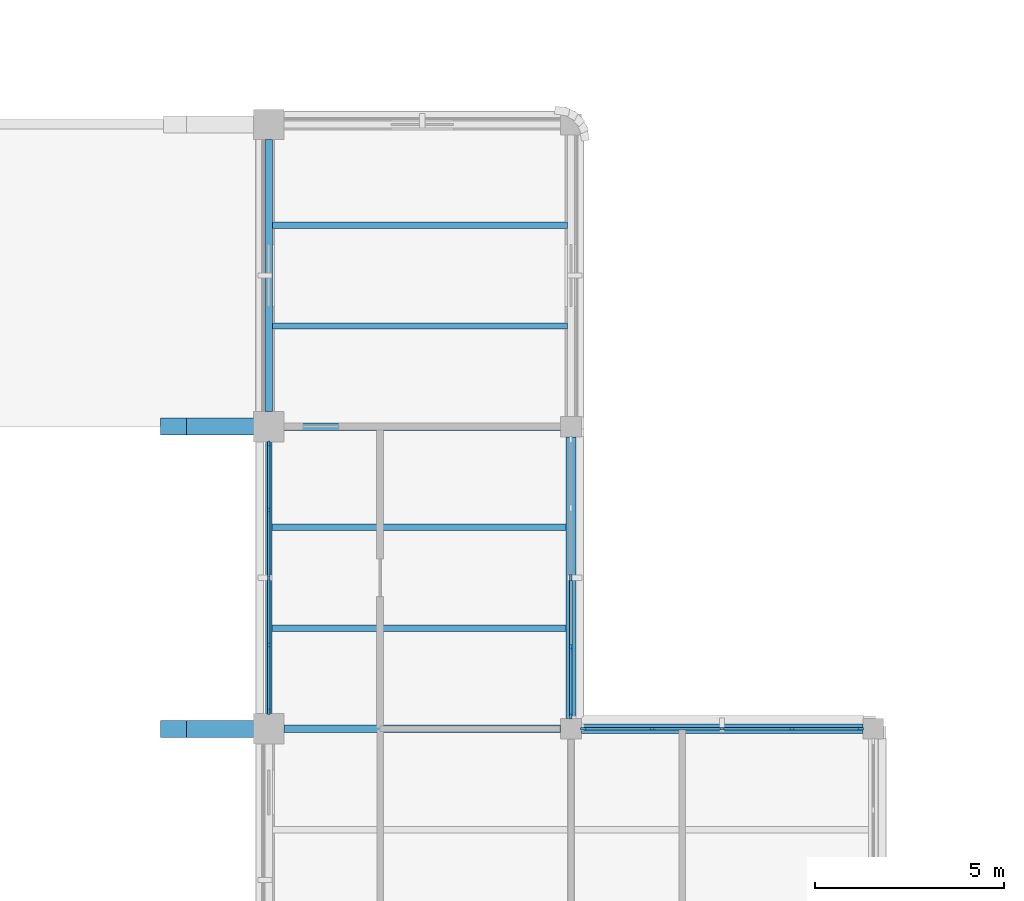
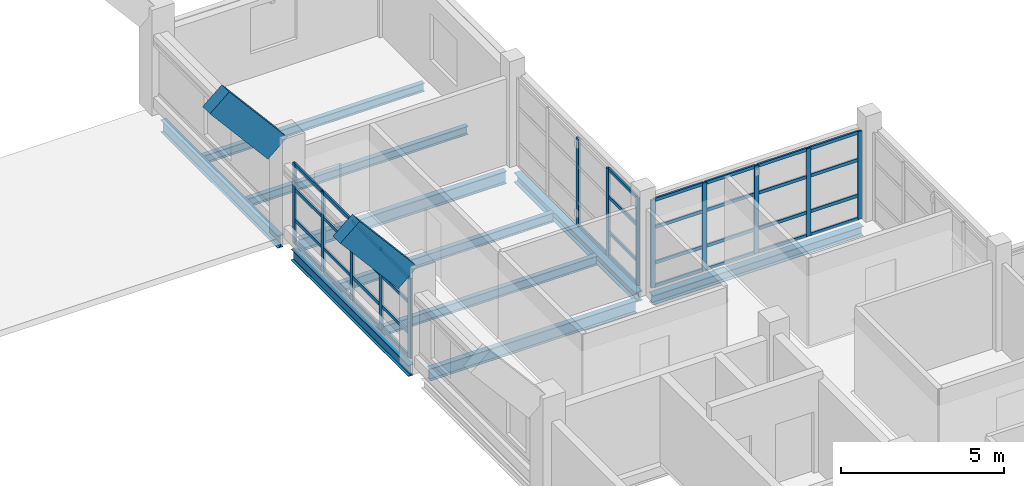
# One storey, part 32 of 92: 50 members, 12 beams, 3 elements without a shape of their own.
"""IFC4 building model written with IfcOpenShell, lengths in metres."""

from ifc_helpers import new_model, si_unit, derived_unit, direction, frame, origin, origin_2d, place, context, subcontext, project, spatial, rectangle, i_section, extrude, material, layer, layer_set, material_profile, profile_set, type_object, element, aggregate, save


model = new_model("IFC4")

# Units and contexts
model_context = context("Model", 3, precision=1e-05, world=origin(), true_north=direction((0.0, 1.0)))
body_context = subcontext(model_context, "Body", "Model", "MODEL_VIEW")
ifc_project = project(units=[si_unit("LENGTHUNIT", "METRE"), si_unit("AREAUNIT", "SQUARE_METRE"), si_unit("VOLUMEUNIT", "CUBIC_METRE"), si_unit("PLANEANGLEUNIT", "RADIAN"), si_unit("MASSUNIT", "GRAM", prefix="KILO"), derived_unit("THERMALTRANSMITTANCEUNIT", [(si_unit("MASSUNIT", "GRAM", prefix="KILO"), 1), (si_unit("TIMEUNIT", "SECOND"), -3), (si_unit("THERMODYNAMICTEMPERATUREUNIT", "KELVIN"), -1)])], contexts=[model_context])

# Site, building, storey
site_placement = place(None, origin())
site = spatial("IfcSite", under=ifc_project, at=site_placement, CompositionType="ELEMENT")
building_placement = place(site_placement, origin())
building = spatial("IfcBuilding", under=site, at=building_placement, Name="Veyamyaing Civic Hall", CompositionType="ELEMENT")
storey_placement = place(building_placement, frame((0.0, 0.0, 17.820068359375)))
storey = spatial("IfcBuildingStorey", under=building, at=storey_placement, Name="L04", CompositionType="ELEMENT", Elevation=17.820068359375)

# Beams
ifc_material_1 = material(Name="Steel ASTM A992", Category="steel")
ifc_material_profile_1 = material_profile(ifc_material_1, i_section(OverallWidth=0.18994140625, OverallDepth=0.45703125, WebThickness=0.009033203125, FlangeThickness=0.014404296875, FilletRadius=0.010009765625, at=origin_2d()), Name="W460X74")
ifc_profile_set_1 = profile_set([ifc_material_profile_1], Name="Steel ASTM A992")
beam_type_1 = type_object("IfcBeamType", Name="B-09", PredefinedType="BEAM", material=ifc_profile_set_1)
beam_1_placement = place(storey_placement, frame((104.39990234375, 64.0, -0.463623046875), z_axis=(1.0, 0.0, 0.0), x_axis=(0.0, 1.0, 0.0)))
element("IfcBeam", 1, at=beam_1_placement, inside=storey, type_object=beam_type_1, Name="Girder B-09 L04 Grid J 14-15", PredefinedType="BEAM", context=body_context, shape_type="SweptSolid", body=[
    extrude(i_section(OverallWidth=0.18994140625, OverallDepth=0.45703125, WebThickness=0.009033203125, FlangeThickness=0.014404296875, FilletRadius=0.010009765625, at=origin_2d()), origin(), (0.0, 0.0, 1.0), 7.3251953125),
])
beam_2_placement = place(storey_placement, frame((104.0, 72.39990234375, -0.468505859375), z_axis=(0.0, 1.0, 0.0), x_axis=(-1.0, 0.0, 0.0)))
element("IfcBeam", 2, at=beam_2_placement, inside=storey, type_object=beam_type_1, Name="Girder B-09 L04 Grid 14 K-L", PredefinedType="BEAM", context=body_context, shape_type="SweptSolid", body=[
    extrude(i_section(OverallWidth=0.18994140625, OverallDepth=0.45703125, WebThickness=0.009033203125, FlangeThickness=0.014404296875, FilletRadius=0.010009765625, at=origin_2d()), origin(), (0.0, 0.0, 1.0), 7.2001953125),
])
ifc_material_profile_2 = material_profile(ifc_material_1, i_section(OverallWidth=0.194091796875, OverallDepth=0.468994140625, WebThickness=0.0126953125, FlangeThickness=0.0205078125, FilletRadius=0.010009765625, at=origin_2d()), Name="W460X106")
ifc_profile_set_2 = profile_set([ifc_material_profile_2], Name="Steel ASTM A992")
beam_type_2 = type_object("IfcBeamType", Name="B-18", PredefinedType="BEAM", material=ifc_profile_set_2)
beam_3_placement = place(storey_placement, frame((104.39990234375, 72.0, -0.469482421875), z_axis=(1.0, 0.0, 0.0), x_axis=(0.0, 1.0, 0.0)))
element("IfcBeam", 3, at=beam_3_placement, inside=storey, type_object=beam_type_2, Name="Girder B-18 L04 Grid K 14-15", PredefinedType="BEAM", context=body_context, shape_type="SweptSolid", body=[
    extrude(i_section(OverallWidth=0.194091796875, OverallDepth=0.468994140625, WebThickness=0.0126953125, FlangeThickness=0.0205078125, FilletRadius=0.010009765625, at=origin_2d()), origin(), (0.0, 0.0, 1.0), 7.3251953125),
])
ifc_material_profile_3 = material_profile(ifc_material_1, i_section(OverallWidth=0.180908203125, OverallDepth=0.4169921875, WebThickness=0.010986328125, FlangeThickness=0.018310546875, FilletRadius=0.010009765625, at=origin_2d()), Name="W410X85")
ifc_profile_set_3 = profile_set([ifc_material_profile_3], Name="Steel ASTM A992")
beam_type_3 = type_object("IfcBeamType", Name="B-19", PredefinedType="SPANDREL", material=ifc_profile_set_3)
beam_4_placement = place(storey_placement, frame((104.0, 64.39990234375, -0.443603515625), z_axis=(0.0, 1.0, 0.0), x_axis=(-1.0, 0.0, 0.0)))
element("IfcBeam", 4, at=beam_4_placement, inside=storey, type_object=beam_type_3, Name="Girder B-19 L04 Grid 14 J-K", PredefinedType="SPANDREL", context=body_context, shape_type="SweptSolid", body=[
    extrude(i_section(OverallWidth=0.180908203125, OverallDepth=0.4169921875, WebThickness=0.010986328125, FlangeThickness=0.018310546875, FilletRadius=0.010009765625, at=origin_2d()), origin(), (0.0, 0.0, 1.0), 7.2001953125),
])
ifc_material_profile_4 = material_profile(ifc_material_1, i_section(OverallWidth=0.25390625, OverallDepth=0.35302734375, WebThickness=0.009521484375, FlangeThickness=0.016357421875, FilletRadius=0.011962890625, at=origin_2d()), Name="W360X91")
ifc_profile_set_4 = profile_set([ifc_material_profile_4], Name="Steel ASTM A992")
beam_type_4 = type_object("IfcBeamType", Name="B-20", PredefinedType="SPANDREL", material=ifc_profile_set_4)
for number, where, z_axis, x_axis, name in (
    (5, (112.27490234375, 64.0, -0.41162109375), (1.0, 0.0, 0.0), (0.0, 1.0, 0.0), "Girder B-20 L04 Grid J 15-16"),
    (6, (112.0, 64.27490234375, -0.41162109375), (0.0, 1.0, 0.0), (-1.0, 0.0, 0.0), "Girder B-20 L04 Grid 15 J-K"),
):
    element("IfcBeam", number, at=place(storey_placement, frame(where, z_axis=z_axis, x_axis=x_axis)), inside=storey, type_object=beam_type_4, Name=name, PredefinedType="SPANDREL", context=body_context, shape_type="SweptSolid", body=[
        extrude(i_section(OverallWidth=0.25390625, OverallDepth=0.35302734375, WebThickness=0.009521484375, FlangeThickness=0.016357421875, FilletRadius=0.011962890625, at=origin_2d()), origin(), (0.0, 0.0, 1.0), 7.4501953125),
    ])

# Curtain wall, members
ifc_material_2 = material(Name="Anodised aluminium 6063-T6", Category="aluminium")
ifc_layer = layer(ifc_material_2, 0.159912109375, Name="Anodised aluminium 6063-T6")
ifc_layer_set = layer_set([ifc_layer], Name="Anodised aluminium 6063-T6")
curtain_wall_type = type_object("IfcCurtainWallType", Name="CW-08", PredefinedType="NOTDEFINED", material=ifc_layer_set)
curtain_wall_1_placement = place(storey_placement, origin())
curtain_wall_1 = element("IfcCurtainWall", 7, at=curtain_wall_1_placement, inside=storey, type_object=curtain_wall_type, Name="Unitized curtain wall CW-08 L04 W 14.9", PredefinedType="NOTDEFINED")
ifc_material_profile_5 = material_profile(ifc_material_2, rectangle(XDim=0.06494140625, YDim=0.159912109375, at=origin_2d()), Name="ALU-MUL-65X160")
ifc_profile_set_5 = profile_set([ifc_material_profile_5], Name="Anodised aluminium 6063-T6")
member_type_1 = type_object("IfcMemberType", Name="CWM-01", PredefinedType="MULLION", material=ifc_profile_set_5)
member_1_placement = place(storey_placement, frame((104.0, 64.46240234375, 0.0), z_axis=(0.0, 0.0, 1.0), x_axis=(-1.0, 0.0, 0.0)))
member_1 = element("IfcMember", 8, at=member_1_placement, type_object=member_type_1, Name="CW-08 mullion 1", PredefinedType="MULLION", context=body_context, shape_type="SweptSolid", body=[
    extrude(rectangle(XDim=0.06494140625, YDim=0.159912109375, at=origin_2d()), origin(), (0.0, 0.0, 1.0), 3.001953125),
])
member_2_placement = place(storey_placement, frame((104.0, 66.215087890625, 0.0), z_axis=(0.0, 0.0, 1.0), x_axis=(-1.0, 0.0, 0.0)))
member_2 = element("IfcMember", 9, at=member_2_placement, type_object=member_type_1, Name="CW-08 mullion 2", PredefinedType="MULLION", context=body_context, shape_type="SweptSolid", body=[
    extrude(rectangle(XDim=0.06494140625, YDim=0.159912109375, at=origin_2d()), origin(), (0.0, 0.0, 1.0), 3.001953125),
])
member_3_placement = place(storey_placement, frame((104.0, 68.0, 0.0), z_axis=(0.0, 0.0, 1.0), x_axis=(-1.0, 0.0, 0.0)))
member_3 = element("IfcMember", 10, at=member_3_placement, type_object=member_type_1, Name="CW-08 mullion 3", PredefinedType="MULLION", context=body_context, shape_type="SweptSolid", body=[
    extrude(rectangle(XDim=0.06494140625, YDim=0.159912109375, at=origin_2d()), origin(), (0.0, 0.0, 1.0), 3.001953125),
])
member_4_placement = place(storey_placement, frame((104.0, 69.784912109375, 0.0), z_axis=(0.0, 0.0, 1.0), x_axis=(-1.0, 0.0, 0.0)))
member_4 = element("IfcMember", 11, at=member_4_placement, type_object=member_type_1, Name="CW-08 mullion 4", PredefinedType="MULLION", context=body_context, shape_type="SweptSolid", body=[
    extrude(rectangle(XDim=0.06494140625, YDim=0.159912109375, at=origin_2d()), origin(), (0.0, 0.0, 1.0), 3.001953125),
])
member_5_placement = place(storey_placement, frame((104.0, 71.53759765625, 0.0), z_axis=(0.0, 0.0, 1.0), x_axis=(-1.0, 0.0, 0.0)))
member_5 = element("IfcMember", 12, at=member_5_placement, type_object=member_type_1, Name="CW-08 mullion 5", PredefinedType="MULLION", context=body_context, shape_type="SweptSolid", body=[
    extrude(rectangle(XDim=0.06494140625, YDim=0.159912109375, at=origin_2d()), origin(), (0.0, 0.0, 1.0), 3.001953125),
])

curtain_wall_2_placement = place(storey_placement, origin())
curtain_wall_2 = element("IfcCurtainWall", 13, at=curtain_wall_2_placement, inside=storey, type_object=curtain_wall_type, Name="Unitized curtain wall CW-08 L04 E 14.9", PredefinedType="NOTDEFINED")
member_6_placement = place(storey_placement, frame((112.0, 64.33740234375, 0.0), z_axis=(0.0, 0.0, 1.0), x_axis=(-1.0, 0.0, 0.0)))
member_6 = element("IfcMember", 14, at=member_6_placement, type_object=member_type_1, Name="CW-08 mullion 1", PredefinedType="MULLION", context=body_context, shape_type="SweptSolid", body=[
    extrude(rectangle(XDim=0.06494140625, YDim=0.159912109375, at=origin_2d()), origin(), (0.0, 0.0, 1.0), 3.288818359375),
])
member_7_placement = place(storey_placement, frame((112.0, 66.152587890625, 0.0), z_axis=(0.0, 0.0, 1.0), x_axis=(-1.0, 0.0, 0.0)))
member_7 = element("IfcMember", 15, at=member_7_placement, type_object=member_type_1, Name="CW-08 mullion 2", PredefinedType="MULLION", context=body_context, shape_type="SweptSolid", body=[
    extrude(rectangle(XDim=0.06494140625, YDim=0.159912109375, at=origin_2d()), origin(), (0.0, 0.0, 1.0), 3.288818359375),
])
member_8_placement = place(storey_placement, frame((112.0, 68.0, 0.0), z_axis=(0.0, 0.0, 1.0), x_axis=(-1.0, 0.0, 0.0)))
member_8 = element("IfcMember", 16, at=member_8_placement, type_object=member_type_1, Name="CW-08 mullion 3", PredefinedType="MULLION", context=body_context, shape_type="SweptSolid", body=[
    extrude(rectangle(XDim=0.06494140625, YDim=0.159912109375, at=origin_2d()), origin(), (0.0, 0.0, 1.0), 3.288818359375),
])

curtain_wall_3_placement = place(storey_placement, origin())
curtain_wall_3 = element("IfcCurtainWall", 17, at=curtain_wall_3_placement, inside=storey, type_object=curtain_wall_type, Name="Unitized curtain wall CW-08 L04 N 15.8", PredefinedType="NOTDEFINED")
member_9_placement = place(storey_placement, frame((112.33740234375, 64.0, 0.0), z_axis=(0.0, 0.0, 1.0), x_axis=(0.0, 1.0, 0.0)))
member_9 = element("IfcMember", 18, at=member_9_placement, type_object=member_type_1, Name="CW-08 mullion 1", PredefinedType="MULLION", context=body_context, shape_type="SweptSolid", body=[
    extrude(rectangle(XDim=0.06494140625, YDim=0.159912109375, at=origin_2d()), origin(), (0.0, 0.0, 1.0), 3.288818359375),
])
member_10_placement = place(storey_placement, frame((114.152587890625, 64.0, 0.0), z_axis=(0.0, 0.0, 1.0), x_axis=(0.0, 1.0, 0.0)))
member_10 = element("IfcMember", 19, at=member_10_placement, type_object=member_type_1, Name="CW-08 mullion 2", PredefinedType="MULLION", context=body_context, shape_type="SweptSolid", body=[
    extrude(rectangle(XDim=0.06494140625, YDim=0.159912109375, at=origin_2d()), origin(), (0.0, 0.0, 1.0), 3.288818359375),
])
member_11_placement = place(storey_placement, frame((116.0, 64.0, 0.0), z_axis=(0.0, 0.0, 1.0), x_axis=(0.0, 1.0, 0.0)))
member_11 = element("IfcMember", 20, at=member_11_placement, type_object=member_type_1, Name="CW-08 mullion 3", PredefinedType="MULLION", context=body_context, shape_type="SweptSolid", body=[
    extrude(rectangle(XDim=0.06494140625, YDim=0.159912109375, at=origin_2d()), origin(), (0.0, 0.0, 1.0), 3.288818359375),
])
member_12_placement = place(storey_placement, frame((117.847412109375, 64.0, 0.0), z_axis=(0.0, 0.0, 1.0), x_axis=(0.0, 1.0, 0.0)))
member_12 = element("IfcMember", 21, at=member_12_placement, type_object=member_type_1, Name="CW-08 mullion 4", PredefinedType="MULLION", context=body_context, shape_type="SweptSolid", body=[
    extrude(rectangle(XDim=0.06494140625, YDim=0.159912109375, at=origin_2d()), origin(), (0.0, 0.0, 1.0), 3.288818359375),
])
member_13_placement = place(storey_placement, frame((119.66259765625, 64.0, 0.0), z_axis=(0.0, 0.0, 1.0), x_axis=(0.0, 1.0, 0.0)))
member_13 = element("IfcMember", 22, at=member_13_placement, type_object=member_type_1, Name="CW-08 mullion 5", PredefinedType="MULLION", context=body_context, shape_type="SweptSolid", body=[
    extrude(rectangle(XDim=0.06494140625, YDim=0.159912109375, at=origin_2d()), origin(), (0.0, 0.0, 1.0), 3.288818359375),
])

# Member
ifc_material_profile_6 = material_profile(ifc_material_2, rectangle(XDim=0.06494140625, YDim=0.1201171875, at=origin_2d()), Name="ALU-TRN-65X120")
ifc_profile_set_6 = profile_set([ifc_material_profile_6], Name="Anodised aluminium 6063-T6")
member_type_2 = type_object("IfcMemberType", Name="CWT-01", PredefinedType="USERDEFINED", material=ifc_profile_set_6)
member_14_placement = place(storey_placement, frame((104.0, 64.4951171875, 0.032470703125), z_axis=(0.0, 1.0, 0.0), x_axis=(-1.0, 0.0, 0.0)))
member_14 = element("IfcMember", 23, at=member_14_placement, type_object=member_type_2, Name="CW-08 transom 1.1", ObjectType="TRANSOM", PredefinedType="USERDEFINED", context=body_context, shape_type="SweptSolid", body=[
    extrude(rectangle(XDim=0.06494140625, YDim=0.1201171875, at=origin_2d()), origin(), (0.0, 0.0, 1.0), 1.6875),
])

member_15_placement = place(storey_placement, frame((104.0, 64.4951171875, 0.89990234375), z_axis=(0.0, 1.0, 0.0), x_axis=(-1.0, 0.0, 0.0)))
member_15 = element("IfcMember", 24, at=member_15_placement, type_object=member_type_2, Name="CW-08 transom 1.2", ObjectType="TRANSOM", PredefinedType="USERDEFINED", context=body_context, shape_type="SweptSolid", body=[
    extrude(rectangle(XDim=0.06494140625, YDim=0.1201171875, at=origin_2d()), origin(), (0.0, 0.0, 1.0), 1.6875),
])

member_16_placement = place(storey_placement, frame((104.0, 64.4951171875, 2.041259765625), z_axis=(0.0, 1.0, 0.0), x_axis=(-1.0, 0.0, 0.0)))
member_16 = element("IfcMember", 25, at=member_16_placement, type_object=member_type_2, Name="CW-08 transom 1.3", ObjectType="TRANSOM", PredefinedType="USERDEFINED", context=body_context, shape_type="SweptSolid", body=[
    extrude(rectangle(XDim=0.06494140625, YDim=0.1201171875, at=origin_2d()), origin(), (0.0, 0.0, 1.0), 1.6875),
])

member_17_placement = place(storey_placement, frame((104.0, 64.4951171875, 2.969482421875), z_axis=(0.0, 1.0, 0.0), x_axis=(-1.0, 0.0, 0.0)))
member_17 = element("IfcMember", 26, at=member_17_placement, type_object=member_type_2, Name="CW-08 transom 1.4", ObjectType="TRANSOM", PredefinedType="USERDEFINED", context=body_context, shape_type="SweptSolid", body=[
    extrude(rectangle(XDim=0.06494140625, YDim=0.1201171875, at=origin_2d()), origin(), (0.0, 0.0, 1.0), 1.6875),
])

member_18_placement = place(storey_placement, frame((104.0, 66.24755859375, 0.032470703125), z_axis=(0.0, 1.0, 0.0), x_axis=(-1.0, 0.0, 0.0)))
member_18 = element("IfcMember", 27, at=member_18_placement, type_object=member_type_2, Name="CW-08 transom 2.1", ObjectType="TRANSOM", PredefinedType="USERDEFINED", context=body_context, shape_type="SweptSolid", body=[
    extrude(rectangle(XDim=0.06494140625, YDim=0.1201171875, at=origin_2d()), origin(), (0.0, 0.0, 1.0), 1.719970703125),
])

member_19_placement = place(storey_placement, frame((104.0, 66.24755859375, 0.89990234375), z_axis=(0.0, 1.0, 0.0), x_axis=(-1.0, 0.0, 0.0)))
member_19 = element("IfcMember", 28, at=member_19_placement, type_object=member_type_2, Name="CW-08 transom 2.2", ObjectType="TRANSOM", PredefinedType="USERDEFINED", context=body_context, shape_type="SweptSolid", body=[
    extrude(rectangle(XDim=0.06494140625, YDim=0.1201171875, at=origin_2d()), origin(), (0.0, 0.0, 1.0), 1.719970703125),
])

member_20_placement = place(storey_placement, frame((104.0, 66.24755859375, 2.041259765625), z_axis=(0.0, 1.0, 0.0), x_axis=(-1.0, 0.0, 0.0)))
member_20 = element("IfcMember", 29, at=member_20_placement, type_object=member_type_2, Name="CW-08 transom 2.3", ObjectType="TRANSOM", PredefinedType="USERDEFINED", context=body_context, shape_type="SweptSolid", body=[
    extrude(rectangle(XDim=0.06494140625, YDim=0.1201171875, at=origin_2d()), origin(), (0.0, 0.0, 1.0), 1.719970703125),
])

member_21_placement = place(storey_placement, frame((104.0, 66.24755859375, 2.969482421875), z_axis=(0.0, 1.0, 0.0), x_axis=(-1.0, 0.0, 0.0)))
member_21 = element("IfcMember", 30, at=member_21_placement, type_object=member_type_2, Name="CW-08 transom 2.4", ObjectType="TRANSOM", PredefinedType="USERDEFINED", context=body_context, shape_type="SweptSolid", body=[
    extrude(rectangle(XDim=0.06494140625, YDim=0.1201171875, at=origin_2d()), origin(), (0.0, 0.0, 1.0), 1.719970703125),
])

member_22_placement = place(storey_placement, frame((104.0, 68.032470703125, 0.032470703125), z_axis=(0.0, 1.0, 0.0), x_axis=(-1.0, 0.0, 0.0)))
member_22 = element("IfcMember", 31, at=member_22_placement, type_object=member_type_2, Name="CW-08 transom 3.1", ObjectType="TRANSOM", PredefinedType="USERDEFINED", context=body_context, shape_type="SweptSolid", body=[
    extrude(rectangle(XDim=0.06494140625, YDim=0.1201171875, at=origin_2d()), origin(), (0.0, 0.0, 1.0), 1.719970703125),
])

member_23_placement = place(storey_placement, frame((104.0, 68.032470703125, 0.89990234375), z_axis=(0.0, 1.0, 0.0), x_axis=(-1.0, 0.0, 0.0)))
member_23 = element("IfcMember", 32, at=member_23_placement, type_object=member_type_2, Name="CW-08 transom 3.2", ObjectType="TRANSOM", PredefinedType="USERDEFINED", context=body_context, shape_type="SweptSolid", body=[
    extrude(rectangle(XDim=0.06494140625, YDim=0.1201171875, at=origin_2d()), origin(), (0.0, 0.0, 1.0), 1.719970703125),
])

member_24_placement = place(storey_placement, frame((104.0, 68.032470703125, 2.041259765625), z_axis=(0.0, 1.0, 0.0), x_axis=(-1.0, 0.0, 0.0)))
member_24 = element("IfcMember", 33, at=member_24_placement, type_object=member_type_2, Name="CW-08 transom 3.3", ObjectType="TRANSOM", PredefinedType="USERDEFINED", context=body_context, shape_type="SweptSolid", body=[
    extrude(rectangle(XDim=0.06494140625, YDim=0.1201171875, at=origin_2d()), origin(), (0.0, 0.0, 1.0), 1.719970703125),
])

member_25_placement = place(storey_placement, frame((104.0, 68.032470703125, 2.969482421875), z_axis=(0.0, 1.0, 0.0), x_axis=(-1.0, 0.0, 0.0)))
member_25 = element("IfcMember", 34, at=member_25_placement, type_object=member_type_2, Name="CW-08 transom 3.4", ObjectType="TRANSOM", PredefinedType="USERDEFINED", context=body_context, shape_type="SweptSolid", body=[
    extrude(rectangle(XDim=0.06494140625, YDim=0.1201171875, at=origin_2d()), origin(), (0.0, 0.0, 1.0), 1.719970703125),
])

member_26_placement = place(storey_placement, frame((104.0, 69.8173828125, 0.032470703125), z_axis=(0.0, 1.0, 0.0), x_axis=(-1.0, 0.0, 0.0)))
member_26 = element("IfcMember", 35, at=member_26_placement, type_object=member_type_2, Name="CW-08 transom 4.1", ObjectType="TRANSOM", PredefinedType="USERDEFINED", context=body_context, shape_type="SweptSolid", body=[
    extrude(rectangle(XDim=0.06494140625, YDim=0.1201171875, at=origin_2d()), origin(), (0.0, 0.0, 1.0), 1.6875),
])

member_27_placement = place(storey_placement, frame((104.0, 69.8173828125, 0.89990234375), z_axis=(0.0, 1.0, 0.0), x_axis=(-1.0, 0.0, 0.0)))
member_27 = element("IfcMember", 36, at=member_27_placement, type_object=member_type_2, Name="CW-08 transom 4.2", ObjectType="TRANSOM", PredefinedType="USERDEFINED", context=body_context, shape_type="SweptSolid", body=[
    extrude(rectangle(XDim=0.06494140625, YDim=0.1201171875, at=origin_2d()), origin(), (0.0, 0.0, 1.0), 1.6875),
])

member_28_placement = place(storey_placement, frame((104.0, 69.8173828125, 2.041259765625), z_axis=(0.0, 1.0, 0.0), x_axis=(-1.0, 0.0, 0.0)))
member_28 = element("IfcMember", 37, at=member_28_placement, type_object=member_type_2, Name="CW-08 transom 4.3", ObjectType="TRANSOM", PredefinedType="USERDEFINED", context=body_context, shape_type="SweptSolid", body=[
    extrude(rectangle(XDim=0.06494140625, YDim=0.1201171875, at=origin_2d()), origin(), (0.0, 0.0, 1.0), 1.6875),
])

member_29_placement = place(storey_placement, frame((104.0, 69.8173828125, 2.969482421875), z_axis=(0.0, 1.0, 0.0), x_axis=(-1.0, 0.0, 0.0)))
member_29 = element("IfcMember", 38, at=member_29_placement, type_object=member_type_2, Name="CW-08 transom 4.4", ObjectType="TRANSOM", PredefinedType="USERDEFINED", context=body_context, shape_type="SweptSolid", body=[
    extrude(rectangle(XDim=0.06494140625, YDim=0.1201171875, at=origin_2d()), origin(), (0.0, 0.0, 1.0), 1.6875),
])

aggregate(curtain_wall_1, [member_1, member_2, member_3, member_4, member_5, member_14, member_15, member_16, member_17, member_18, member_19, member_20, member_21, member_22, member_23, member_24, member_25, member_26, member_27, member_28, member_29])

member_30_placement = place(storey_placement, frame((112.0, 64.3701171875, 0.032470703125), z_axis=(0.0, 1.0, 0.0), x_axis=(-1.0, 0.0, 0.0)))
member_30 = element("IfcMember", 39, at=member_30_placement, type_object=member_type_2, Name="CW-08 transom 1.1", ObjectType="TRANSOM", PredefinedType="USERDEFINED", context=body_context, shape_type="SweptSolid", body=[
    extrude(rectangle(XDim=0.06494140625, YDim=0.1201171875, at=origin_2d()), origin(), (0.0, 0.0, 1.0), 1.75),
])

member_31_placement = place(storey_placement, frame((112.0, 64.3701171875, 0.89990234375), z_axis=(0.0, 1.0, 0.0), x_axis=(-1.0, 0.0, 0.0)))
member_31 = element("IfcMember", 40, at=member_31_placement, type_object=member_type_2, Name="CW-08 transom 1.2", ObjectType="TRANSOM", PredefinedType="USERDEFINED", context=body_context, shape_type="SweptSolid", body=[
    extrude(rectangle(XDim=0.06494140625, YDim=0.1201171875, at=origin_2d()), origin(), (0.0, 0.0, 1.0), 1.75),
])

member_32_placement = place(storey_placement, frame((112.0, 64.3701171875, 2.236328125), z_axis=(0.0, 1.0, 0.0), x_axis=(-1.0, 0.0, 0.0)))
member_32 = element("IfcMember", 41, at=member_32_placement, type_object=member_type_2, Name="CW-08 transom 1.3", ObjectType="TRANSOM", PredefinedType="USERDEFINED", context=body_context, shape_type="SweptSolid", body=[
    extrude(rectangle(XDim=0.06494140625, YDim=0.1201171875, at=origin_2d()), origin(), (0.0, 0.0, 1.0), 1.75),
])

member_33_placement = place(storey_placement, frame((112.0, 64.3701171875, 3.25634765625), z_axis=(0.0, 1.0, 0.0), x_axis=(-1.0, 0.0, 0.0)))
member_33 = element("IfcMember", 42, at=member_33_placement, type_object=member_type_2, Name="CW-08 transom 1.4", ObjectType="TRANSOM", PredefinedType="USERDEFINED", context=body_context, shape_type="SweptSolid", body=[
    extrude(rectangle(XDim=0.06494140625, YDim=0.1201171875, at=origin_2d()), origin(), (0.0, 0.0, 1.0), 1.75),
])

member_34_placement = place(storey_placement, frame((112.0, 66.18505859375, 0.032470703125), z_axis=(0.0, 1.0, 0.0), x_axis=(-1.0, 0.0, 0.0)))
member_34 = element("IfcMember", 43, at=member_34_placement, type_object=member_type_2, Name="CW-08 transom 2.1", ObjectType="TRANSOM", PredefinedType="USERDEFINED", context=body_context, shape_type="SweptSolid", body=[
    extrude(rectangle(XDim=0.06494140625, YDim=0.1201171875, at=origin_2d()), origin(), (0.0, 0.0, 1.0), 1.782470703125),
])

aggregate(curtain_wall_2, [member_6, member_7, member_8, member_30, member_31, member_32, member_33, member_34])

member_35_placement = place(storey_placement, frame((112.3701171875, 64.0, 0.032470703125), z_axis=(1.0, 0.0, 0.0), x_axis=(0.0, 1.0, 0.0)))
member_35 = element("IfcMember", 44, at=member_35_placement, type_object=member_type_2, Name="CW-08 transom 1.1", ObjectType="TRANSOM", PredefinedType="USERDEFINED", context=body_context, shape_type="SweptSolid", body=[
    extrude(rectangle(XDim=0.06494140625, YDim=0.1201171875, at=origin_2d()), origin(), (0.0, 0.0, 1.0), 1.75),
])

member_36_placement = place(storey_placement, frame((112.3701171875, 64.0, 0.89990234375), z_axis=(1.0, 0.0, 0.0), x_axis=(0.0, 1.0, 0.0)))
member_36 = element("IfcMember", 45, at=member_36_placement, type_object=member_type_2, Name="CW-08 transom 1.2", ObjectType="TRANSOM", PredefinedType="USERDEFINED", context=body_context, shape_type="SweptSolid", body=[
    extrude(rectangle(XDim=0.06494140625, YDim=0.1201171875, at=origin_2d()), origin(), (0.0, 0.0, 1.0), 1.75),
])

member_37_placement = place(storey_placement, frame((112.3701171875, 64.0, 2.236328125), z_axis=(1.0, 0.0, 0.0), x_axis=(0.0, 1.0, 0.0)))
member_37 = element("IfcMember", 46, at=member_37_placement, type_object=member_type_2, Name="CW-08 transom 1.3", ObjectType="TRANSOM", PredefinedType="USERDEFINED", context=body_context, shape_type="SweptSolid", body=[
    extrude(rectangle(XDim=0.06494140625, YDim=0.1201171875, at=origin_2d()), origin(), (0.0, 0.0, 1.0), 1.75),
])

member_38_placement = place(storey_placement, frame((112.3701171875, 64.0, 3.25634765625), z_axis=(1.0, 0.0, 0.0), x_axis=(0.0, 1.0, 0.0)))
member_38 = element("IfcMember", 47, at=member_38_placement, type_object=member_type_2, Name="CW-08 transom 1.4", ObjectType="TRANSOM", PredefinedType="USERDEFINED", context=body_context, shape_type="SweptSolid", body=[
    extrude(rectangle(XDim=0.06494140625, YDim=0.1201171875, at=origin_2d()), origin(), (0.0, 0.0, 1.0), 1.75),
])

member_39_placement = place(storey_placement, frame((114.18505859375, 64.0, 0.032470703125), z_axis=(1.0, 0.0, 0.0), x_axis=(0.0, 1.0, 0.0)))
member_39 = element("IfcMember", 48, at=member_39_placement, type_object=member_type_2, Name="CW-08 transom 2.1", ObjectType="TRANSOM", PredefinedType="USERDEFINED", context=body_context, shape_type="SweptSolid", body=[
    extrude(rectangle(XDim=0.06494140625, YDim=0.1201171875, at=origin_2d()), origin(), (0.0, 0.0, 1.0), 1.782470703125),
])

member_40_placement = place(storey_placement, frame((114.18505859375, 64.0, 0.89990234375), z_axis=(1.0, 0.0, 0.0), x_axis=(0.0, 1.0, 0.0)))
member_40 = element("IfcMember", 49, at=member_40_placement, type_object=member_type_2, Name="CW-08 transom 2.2", ObjectType="TRANSOM", PredefinedType="USERDEFINED", context=body_context, shape_type="SweptSolid", body=[
    extrude(rectangle(XDim=0.06494140625, YDim=0.1201171875, at=origin_2d()), origin(), (0.0, 0.0, 1.0), 1.782470703125),
])

member_41_placement = place(storey_placement, frame((114.18505859375, 64.0, 2.236328125), z_axis=(1.0, 0.0, 0.0), x_axis=(0.0, 1.0, 0.0)))
member_41 = element("IfcMember", 50, at=member_41_placement, type_object=member_type_2, Name="CW-08 transom 2.3", ObjectType="TRANSOM", PredefinedType="USERDEFINED", context=body_context, shape_type="SweptSolid", body=[
    extrude(rectangle(XDim=0.06494140625, YDim=0.1201171875, at=origin_2d()), origin(), (0.0, 0.0, 1.0), 1.782470703125),
])

member_42_placement = place(storey_placement, frame((114.18505859375, 64.0, 3.25634765625), z_axis=(1.0, 0.0, 0.0), x_axis=(0.0, 1.0, 0.0)))
member_42 = element("IfcMember", 51, at=member_42_placement, type_object=member_type_2, Name="CW-08 transom 2.4", ObjectType="TRANSOM", PredefinedType="USERDEFINED", context=body_context, shape_type="SweptSolid", body=[
    extrude(rectangle(XDim=0.06494140625, YDim=0.1201171875, at=origin_2d()), origin(), (0.0, 0.0, 1.0), 1.782470703125),
])

member_43_placement = place(storey_placement, frame((116.032470703125, 64.0, 0.032470703125), z_axis=(1.0, 0.0, 0.0), x_axis=(0.0, 1.0, 0.0)))
member_43 = element("IfcMember", 52, at=member_43_placement, type_object=member_type_2, Name="CW-08 transom 3.1", ObjectType="TRANSOM", PredefinedType="USERDEFINED", context=body_context, shape_type="SweptSolid", body=[
    extrude(rectangle(XDim=0.06494140625, YDim=0.1201171875, at=origin_2d()), origin(), (0.0, 0.0, 1.0), 1.782470703125),
])

member_44_placement = place(storey_placement, frame((116.032470703125, 64.0, 0.89990234375), z_axis=(1.0, 0.0, 0.0), x_axis=(0.0, 1.0, 0.0)))
member_44 = element("IfcMember", 53, at=member_44_placement, type_object=member_type_2, Name="CW-08 transom 3.2", ObjectType="TRANSOM", PredefinedType="USERDEFINED", context=body_context, shape_type="SweptSolid", body=[
    extrude(rectangle(XDim=0.06494140625, YDim=0.1201171875, at=origin_2d()), origin(), (0.0, 0.0, 1.0), 1.782470703125),
])

member_45_placement = place(storey_placement, frame((116.032470703125, 64.0, 2.236328125), z_axis=(1.0, 0.0, 0.0), x_axis=(0.0, 1.0, 0.0)))
member_45 = element("IfcMember", 54, at=member_45_placement, type_object=member_type_2, Name="CW-08 transom 3.3", ObjectType="TRANSOM", PredefinedType="USERDEFINED", context=body_context, shape_type="SweptSolid", body=[
    extrude(rectangle(XDim=0.06494140625, YDim=0.1201171875, at=origin_2d()), origin(), (0.0, 0.0, 1.0), 1.782470703125),
])

member_46_placement = place(storey_placement, frame((116.032470703125, 64.0, 3.25634765625), z_axis=(1.0, 0.0, 0.0), x_axis=(0.0, 1.0, 0.0)))
member_46 = element("IfcMember", 55, at=member_46_placement, type_object=member_type_2, Name="CW-08 transom 3.4", ObjectType="TRANSOM", PredefinedType="USERDEFINED", context=body_context, shape_type="SweptSolid", body=[
    extrude(rectangle(XDim=0.06494140625, YDim=0.1201171875, at=origin_2d()), origin(), (0.0, 0.0, 1.0), 1.782470703125),
])

member_47_placement = place(storey_placement, frame((117.8798828125, 64.0, 0.032470703125), z_axis=(1.0, 0.0, 0.0), x_axis=(0.0, 1.0, 0.0)))
member_47 = element("IfcMember", 56, at=member_47_placement, type_object=member_type_2, Name="CW-08 transom 4.1", ObjectType="TRANSOM", PredefinedType="USERDEFINED", context=body_context, shape_type="SweptSolid", body=[
    extrude(rectangle(XDim=0.06494140625, YDim=0.1201171875, at=origin_2d()), origin(), (0.0, 0.0, 1.0), 1.75),
])

member_48_placement = place(storey_placement, frame((117.8798828125, 64.0, 0.89990234375), z_axis=(1.0, 0.0, 0.0), x_axis=(0.0, 1.0, 0.0)))
member_48 = element("IfcMember", 57, at=member_48_placement, type_object=member_type_2, Name="CW-08 transom 4.2", ObjectType="TRANSOM", PredefinedType="USERDEFINED", context=body_context, shape_type="SweptSolid", body=[
    extrude(rectangle(XDim=0.06494140625, YDim=0.1201171875, at=origin_2d()), origin(), (0.0, 0.0, 1.0), 1.75),
])

member_49_placement = place(storey_placement, frame((117.8798828125, 64.0, 2.236328125), z_axis=(1.0, 0.0, 0.0), x_axis=(0.0, 1.0, 0.0)))
member_49 = element("IfcMember", 58, at=member_49_placement, type_object=member_type_2, Name="CW-08 transom 4.3", ObjectType="TRANSOM", PredefinedType="USERDEFINED", context=body_context, shape_type="SweptSolid", body=[
    extrude(rectangle(XDim=0.06494140625, YDim=0.1201171875, at=origin_2d()), origin(), (0.0, 0.0, 1.0), 1.75),
])

member_50_placement = place(storey_placement, frame((117.8798828125, 64.0, 3.25634765625), z_axis=(1.0, 0.0, 0.0), x_axis=(0.0, 1.0, 0.0)))
member_50 = element("IfcMember", 59, at=member_50_placement, type_object=member_type_2, Name="CW-08 transom 4.4", ObjectType="TRANSOM", PredefinedType="USERDEFINED", context=body_context, shape_type="SweptSolid", body=[
    extrude(rectangle(XDim=0.06494140625, YDim=0.1201171875, at=origin_2d()), origin(), (0.0, 0.0, 1.0), 1.75),
])

aggregate(curtain_wall_3, [member_9, member_10, member_11, member_12, member_13, member_35, member_36, member_37, member_38, member_39, member_40, member_41, member_42, member_43, member_44, member_45, member_46, member_47, member_48, member_49, member_50])

# Beams
ifc_material_profile_7 = material_profile(ifc_material_1, i_section(OverallWidth=0.1708984375, OverallDepth=0.35205078125, WebThickness=0.0068359375, FlangeThickness=0.009765625, FilletRadius=0.010009765625, at=origin_2d()), Name="W360X44")
ifc_profile_set_7 = profile_set([ifc_material_profile_7], Name="Steel ASTM A992")
beam_type_5 = type_object("IfcBeamType", Name="J-03", PredefinedType="JOIST", material=ifc_profile_set_7)
for number, where, z_axis, x_axis, name in (
    (60, (104.08837890625, 66.666748046875, -0.4111328125), (1.0, 0.0, 0.0), (0.0, 1.0, 0.0), "Composite floor joist J-03 L04 14.9.1"),
    (61, (104.08837890625, 69.333251953125, -0.4111328125), (1.0, 0.0, 0.0), (0.0, 1.0, 0.0), "Composite floor joist J-03 L04 14.9.2"),
):
    element("IfcBeam", number, at=place(storey_placement, frame(where, z_axis=z_axis, x_axis=x_axis)), inside=storey, type_object=beam_type_5, Name=name, PredefinedType="JOIST", context=body_context, shape_type="SweptSolid", body=[
        extrude(i_section(OverallWidth=0.1708984375, OverallDepth=0.35205078125, WebThickness=0.0068359375, FlangeThickness=0.009765625, FilletRadius=0.010009765625, at=origin_2d()), origin(), (0.0, 0.0, 1.0), 7.78662109375),
    ])
ifc_material_profile_8 = material_profile(ifc_material_1, i_section(OverallWidth=0.1669921875, OverallDepth=0.318115234375, WebThickness=0.007568359375, FlangeThickness=0.01318359375, FilletRadius=0.010009765625, at=origin_2d()), Name="W310X52")
ifc_profile_set_8 = profile_set([ifc_material_profile_8], Name="Steel ASTM A992")
beam_type_6 = type_object("IfcBeamType", Name="J-04", PredefinedType="JOIST", material=ifc_profile_set_8)
for number, where, z_axis, x_axis, name in (
    (62, (104.093017578125, 74.666748046875, -0.399169921875), (1.0, 0.0, 0.0), (0.0, 1.0, 0.0), "Composite floor joist J-04 L04 14.10.1"),
    (63, (104.093017578125, 77.333251953125, -0.399169921875), (1.0, 0.0, 0.0), (0.0, 1.0, 0.0), "Composite floor joist J-04 L04 14.10.2"),
):
    element("IfcBeam", number, at=place(storey_placement, frame(where, z_axis=z_axis, x_axis=x_axis)), inside=storey, type_object=beam_type_6, Name=name, PredefinedType="JOIST", context=body_context, shape_type="SweptSolid", body=[
        extrude(i_section(OverallWidth=0.1669921875, OverallDepth=0.318115234375, WebThickness=0.007568359375, FlangeThickness=0.01318359375, FilletRadius=0.010009765625, at=origin_2d()), origin(), (0.0, 0.0, 1.0), 7.819091796875),
    ])
ifc_material_3 = material(Name="Concrete C40/50", Category="concrete")
ifc_material_profile_9 = material_profile(ifc_material_3, rectangle(XDim=0.449951171875, YDim=0.89990234375, at=origin_2d()), Name="RC-ARCH-450X900")
ifc_profile_set_9 = profile_set([ifc_material_profile_9], Name="Concrete C40/50")
beam_type_7 = type_object("IfcBeamType", Name="VR-01", PredefinedType="BEAM", material=ifc_profile_set_9)
for number, where, z_axis, x_axis, name in (
    (64, (101.478515625, 64.0, 5.984130859375), (0.647708679009, 0.0, -0.761888093578), (0.0, 1.0, 0.0), "Council Chamber Vault Arch Rib VR-01 R6.F11"),
    (65, (101.478515625, 72.0, 5.984130859375), (0.647708679009, 0.0, -0.761888093578), (0.0, 1.0, 0.0), "Council Chamber Vault Arch Rib VR-01 R7.F11"),
):
    element("IfcBeam", number, at=place(storey_placement, frame(where, z_axis=z_axis, x_axis=x_axis)), inside=storey, type_object=beam_type_7, Name=name, PredefinedType="BEAM", context=body_context, shape_type="SweptSolid", body=[
        extrude(rectangle(XDim=0.449951171875, YDim=0.89990234375, at=origin_2d()), origin(), (0.0, 0.0, 1.0), 3.17529296875),
    ])

save(model, "model.ifc")
